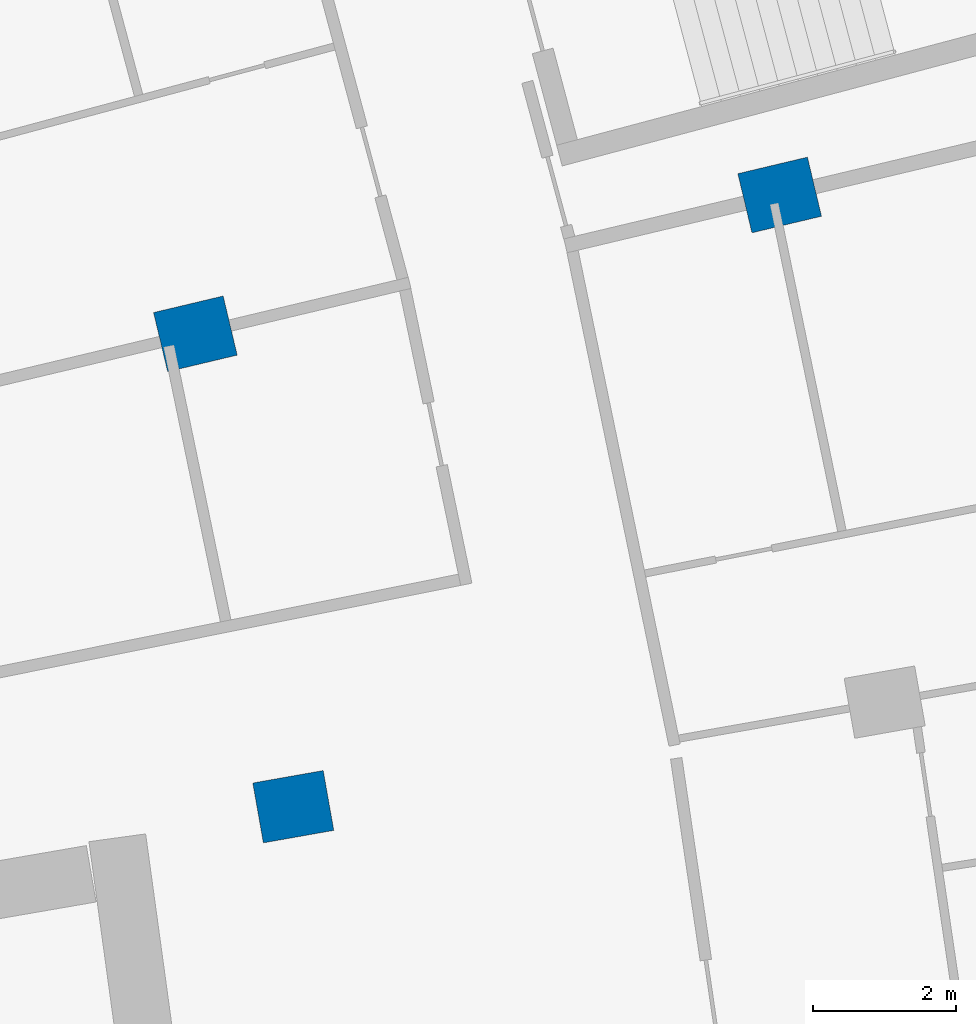
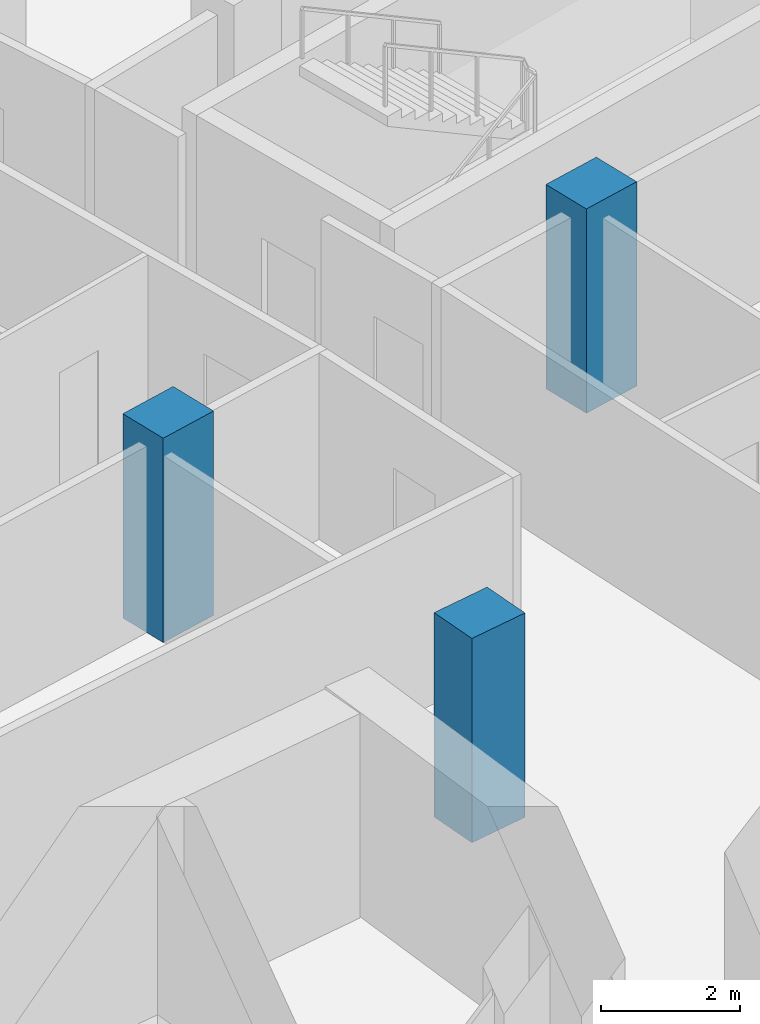
# One storey, part 8 of 25: 3 columns.
"""IFC4 building model written with IfcOpenShell, lengths in metres."""

from ifc_helpers import new_model, si_unit, direction, frame, origin, origin_2d, place, context, subcontext, project, spatial, rectangle, extrude, material, material_profile, profile_set, type_object, element, save


model = new_model("IFC4")

# Units and contexts
model_context = context("Model", 3, precision=1e-05, world=origin(), true_north=direction((0.0, 1.0)))
body_context = subcontext(model_context, "Body", "Model", "MODEL_VIEW")
ifc_project = project(units=[si_unit("LENGTHUNIT", "METRE"), si_unit("AREAUNIT", "SQUARE_METRE"), si_unit("VOLUMEUNIT", "CUBIC_METRE"), si_unit("PLANEANGLEUNIT", "RADIAN"), si_unit("MASSUNIT", "GRAM", prefix="KILO")], contexts=[model_context])

# Site, building, storey
site_placement = place(None, origin())
site = spatial("IfcSite", under=ifc_project, at=site_placement, CompositionType="ELEMENT")
building_placement = place(site_placement, origin())
building = spatial("IfcBuilding", under=site, at=building_placement, Name="Alderwake Tower", CompositionType="ELEMENT")
storey_placement = place(building_placement, frame((0.0, 0.0, 111.199951171875)))
storey = spatial("IfcBuildingStorey", under=building, at=storey_placement, Name="L27", CompositionType="ELEMENT", Elevation=111.199951171875)

# Columns
ifc_material = material(Name="Concrete C70/85", Category="concrete")
ifc_material_profile = material_profile(ifc_material, rectangle(XDim=0.85009765625, YDim=1.0, at=origin_2d()), Name="RC 1000X850")
ifc_profile_set = profile_set([ifc_material_profile], Name="Concrete C70/85")
column_type = type_object("IfcColumnType", Name="Interior column Z2", PredefinedType="COLUMN", material=ifc_profile_set)
for number, where, z_axis, x_axis, name in (
    (1, (34.03125, 81.16162109375, 0.0), (0.0, 0.0, 1.0), (-0.174108800747, 0.984726421654, 0.0), "Column R10-C2"),
    (2, (32.661865234375, 87.775390625, 0.0), (0.0, 0.0, 1.0), (-0.231221547198, 0.972901123502, 0.0), "Column R11-C2"),
    (3, (40.834228515625, 89.7177734375, 0.0), (0.0, 0.0, 1.0), (-0.231221547198, 0.972901123502, 0.0), "Column R11-C3"),
):
    element("IfcColumn", number, at=place(storey_placement, frame(where, z_axis=z_axis, x_axis=x_axis)), inside=storey, type_object=column_type, Name=name, PredefinedType="COLUMN", context=body_context, shape_type="SweptSolid", body=[
        extrude(rectangle(XDim=0.85009765625, YDim=1.0, at=origin_2d()), origin(), (0.0, 0.0, 1.0), 3.60009765625),
    ])

save(model, "model.ifc")
